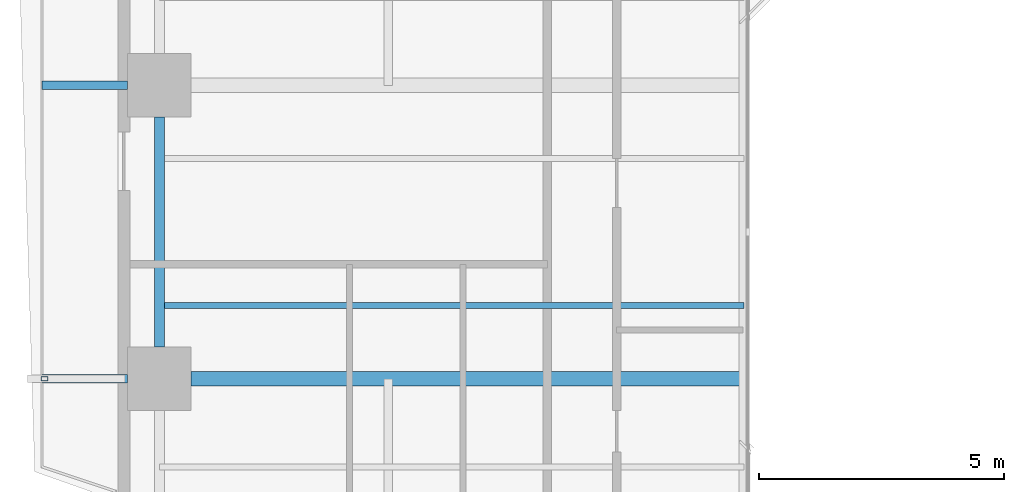
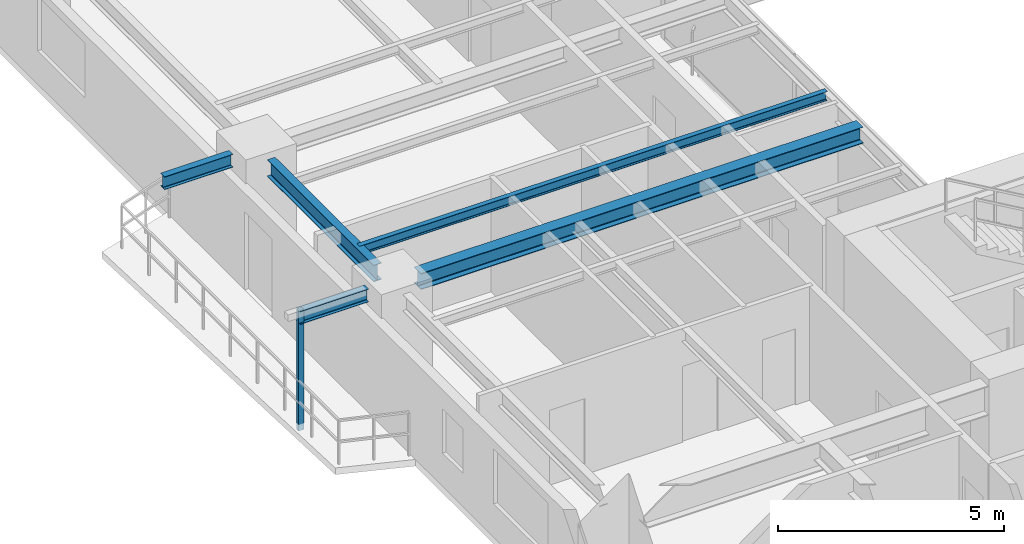
# One storey, part 3 of 23: 5 beams, 1 member.
"""IFC4 building model written with IfcOpenShell, lengths in metres."""

from ifc_helpers import new_model, si_unit, direction, frame, origin, origin_2d, place, context, subcontext, project, spatial, hollow_rectangle, i_section, extrude, source, transform, mapped, material, material_profile, profile_set, type_object, element, save


model = new_model("IFC4")

# Units and contexts
model_context = context("Model", 3, precision=1e-05, world=origin(), true_north=direction((0.0, 1.0)))
body_context = subcontext(model_context, "Body", "Model", "MODEL_VIEW")
ifc_project = project(units=[si_unit("LENGTHUNIT", "METRE"), si_unit("AREAUNIT", "SQUARE_METRE"), si_unit("VOLUMEUNIT", "CUBIC_METRE"), si_unit("PLANEANGLEUNIT", "RADIAN"), si_unit("MASSUNIT", "GRAM", prefix="KILO"), si_unit("THERMODYNAMICTEMPERATUREUNIT", "KELVIN"), si_unit("POWERUNIT", "WATT")], contexts=[model_context])

# Site, building, storey
site_placement = place(None, origin())
site = spatial("IfcSite", under=ifc_project, at=site_placement, CompositionType="ELEMENT")
building_placement = place(site_placement, origin())
building = spatial("IfcBuilding", under=site, at=building_placement, Name="Qiaomeng Ring Towers", CompositionType="ELEMENT")
storey_placement = place(building_placement, frame((0.0, 0.0, 26.25)))
storey = spatial("IfcBuildingStorey", under=building, at=storey_placement, Name="L06", CompositionType="ELEMENT", Elevation=26.25)

# Beams
ifc_material_1 = material(Name="Steel Q355B", Category="steel")
ifc_material_profile_1 = material_profile(ifc_material_1, i_section(OverallWidth=0.199951171875, OverallDepth=0.449951171875, WebThickness=0.009033203125, FlangeThickness=0.013916015625, FilletRadius=0.01806640625, at=origin_2d()), Name="HN 450x200x9x14")
ifc_profile_set_1 = profile_set([ifc_material_profile_1], Name="Steel Q355B")
beam_type_1 = type_object("IfcBeamType", Name="STR-BM-HN450", PredefinedType="SPANDREL", material=ifc_profile_set_1)
shared_shape_1 = source(origin(), body_context, "Body", "SweptSolid", [
    extrude(i_section(OverallWidth=0.199951171875, OverallDepth=0.449951171875, WebThickness=0.009033203125, FlangeThickness=0.013916015625, FilletRadius=0.01806640625, at=origin_2d()), origin(), (0.0, 0.0, 1.0), 4.7021484375),
])
beam_1_placement = place(storey_placement, frame((0.85009765625, 25.35107421875, 2.844970703125), z_axis=(0.0, -1.0, 0.0), x_axis=(1.0, 0.0, 0.0)))
element("IfcBeam", 1, at=beam_1_placement, inside=storey, type_object=beam_type_1, Name="L06 beam STR-SP-L06-T1-W3-W2", PredefinedType="SPANDREL", context=body_context, shape_type="MappedRepresentation", body=[
    mapped(shared_shape_1, transform((0.0, 0.0, 0.0), x_axis=(1.0, 0.0, 0.0), y_axis=(0.0, 1.0, 0.0), z_axis=(0.0, 0.0, 1.0), scale=1.0)),
])
ifc_material_profile_2 = material_profile(ifc_material_1, i_section(OverallWidth=0.300048828125, OverallDepth=0.43994140625, WebThickness=0.010986328125, FlangeThickness=0.01806640625, FilletRadius=0.02392578125, at=origin_2d()), Name="HM 440x300x11x18")
ifc_profile_set_2 = profile_set([ifc_material_profile_2], Name="Steel Q355B")
beam_type_2 = type_object("IfcBeamType", Name="STR-BM-HM440", PredefinedType="BEAM", material=ifc_profile_set_2)
shared_shape_2 = source(origin(), body_context, "Body", "SweptSolid", [
    extrude(i_section(OverallWidth=0.300048828125, OverallDepth=0.43994140625, WebThickness=0.010986328125, FlangeThickness=0.01806640625, FilletRadius=0.02392578125, at=origin_2d()), origin(), (0.0, 0.0, 1.0), 11.301025390625),
])
beam_2_placement = place(storey_placement, frame((1.4990234375, 20.0, 2.85009765625), z_axis=(1.0, 0.0, 0.0), x_axis=(0.0, 1.0, 0.0)))
element("IfcBeam", 2, at=beam_2_placement, inside=storey, type_object=beam_type_2, Name="L06 beam STR-BM-L06-T1-RAD-W2", PredefinedType="BEAM", context=body_context, shape_type="MappedRepresentation", body=[
    mapped(shared_shape_2, transform((0.0, 0.0, 0.0), x_axis=(1.0, 0.0, 0.0), y_axis=(0.0, 1.0, 0.0), z_axis=(0.0, 0.0, 1.0), scale=1.0)),
])
ifc_material_profile_3 = material_profile(ifc_material_1, i_section(OverallWidth=0.175048828125, OverallDepth=0.35009765625, WebThickness=0.007080078125, FlangeThickness=0.010986328125, FilletRadius=0.013916015625, at=origin_2d()), Name="HN 350x175x7x11")
ifc_profile_set_3 = profile_set([ifc_material_profile_3], Name="Steel Q355B")
beam_type_3 = type_object("IfcBeamType", Name="STR-BM-HN350", PredefinedType="JOIST", material=ifc_profile_set_3)
shared_shape_3 = source(origin(), body_context, "Body", "SweptSolid", [
    extrude(i_section(OverallWidth=0.175048828125, OverallDepth=0.35009765625, WebThickness=0.007080078125, FlangeThickness=0.010986328125, FilletRadius=0.013916015625, at=origin_2d()), origin(), (0.0, 0.0, 1.0), 1.7509765625),
])
for number, where, z_axis, x_axis, name in (
    (3, (-1.550048828125, 20.0, 2.89501953125), (1.0, 0.0, 0.0), (0.0, 1.0, 0.0), "L06 beam STR-BALBM-L06-W2"),
    (4, (-1.550048828125, 26.0, 2.89501953125), (1.0, 0.0, 0.0), (0.0, 1.0, 0.0), "L06 beam STR-BALBM-L06-W3"),
):
    element("IfcBeam", number, at=place(storey_placement, frame(where, z_axis=z_axis, x_axis=x_axis)), inside=storey, type_object=beam_type_3, Name=name, PredefinedType="JOIST", context=body_context, shape_type="MappedRepresentation", body=[
        mapped(shared_shape_3, transform((0.0, 0.0, 0.0), x_axis=(1.0, 0.0, 0.0), y_axis=(0.0, 1.0, 0.0), z_axis=(0.0, 0.0, 1.0), scale=1.0)),
    ])
ifc_material_profile_4 = material_profile(ifc_material_1, i_section(OverallWidth=0.125, OverallDepth=0.25, WebThickness=0.006103515625, FlangeThickness=0.009033203125, FilletRadius=0.011962890625, at=origin_2d()), Name="HN 250x125x6x9")
ifc_profile_set_4 = profile_set([ifc_material_profile_4], Name="Steel Q355B")
beam_type_4 = type_object("IfcBeamType", Name="STR-BM-HN250", PredefinedType="JOIST", material=ifc_profile_set_4)
shared_shape_4 = source(origin(), body_context, "Body", "SweptSolid", [
    extrude(i_section(OverallWidth=0.125, OverallDepth=0.25, WebThickness=0.006103515625, FlangeThickness=0.009033203125, FilletRadius=0.011962890625, at=origin_2d()), origin(), (0.0, 0.0, 1.0), 11.949951171875),
])
beam_3_placement = place(storey_placement, frame((0.85009765625, 21.5, 2.945068359375), z_axis=(1.0, 0.0, 0.0), x_axis=(0.0, 1.0, 0.0)))
element("IfcBeam", 5, at=beam_3_placement, inside=storey, type_object=beam_type_4, Name="L06 beam STR-JST-L06-T1W-2", PredefinedType="JOIST", context=body_context, shape_type="MappedRepresentation", body=[
    mapped(shared_shape_4, transform((0.0, 0.0, 0.0), x_axis=(1.0, 0.0, 0.0), y_axis=(0.0, 1.0, 0.0), z_axis=(0.0, 0.0, 1.0), scale=1.0)),
])

# Member
ifc_material_2 = material(Name="Stainless steel 316", Category="steel")
ifc_material_profile_5 = material_profile(ifc_material_2, hollow_rectangle(XDim=0.090087890625, YDim=0.139892578125, WallThickness=0.0048828125, at=origin_2d()), Name="SS TRELLIS 90x140")
ifc_profile_set_5 = profile_set([ifc_material_profile_5], Name="Stainless steel 316")
member_type = type_object("IfcMemberType", Name="ARC-TR-POST1", PredefinedType="STUD", material=ifc_profile_set_5)
shared_shape_5 = source(origin(), body_context, "Body", "SweptSolid", [
    extrude(hollow_rectangle(XDim=0.090087890625, YDim=0.139892578125, WallThickness=0.0048828125, at=origin_2d()), origin(), (0.0, 0.0, 1.0), 3.25),
])
member_placement = place(storey_placement, frame((-1.5, 20.0, -0.179931640625), z_axis=(0.0, 0.0, 1.0), x_axis=(0.0, 1.0, 0.0)))
element("IfcMember", 6, at=member_placement, inside=storey, type_object=member_type, Name="L06 Outer Ventilated Trellis Post W", PredefinedType="STUD", context=body_context, shape_type="MappedRepresentation", body=[
    mapped(shared_shape_5, transform((0.0, 0.0, 0.0), x_axis=(1.0, 0.0, 0.0), y_axis=(0.0, 1.0, 0.0), z_axis=(0.0, 0.0, 1.0), scale=1.0)),
])

save(model, "model.ifc")
